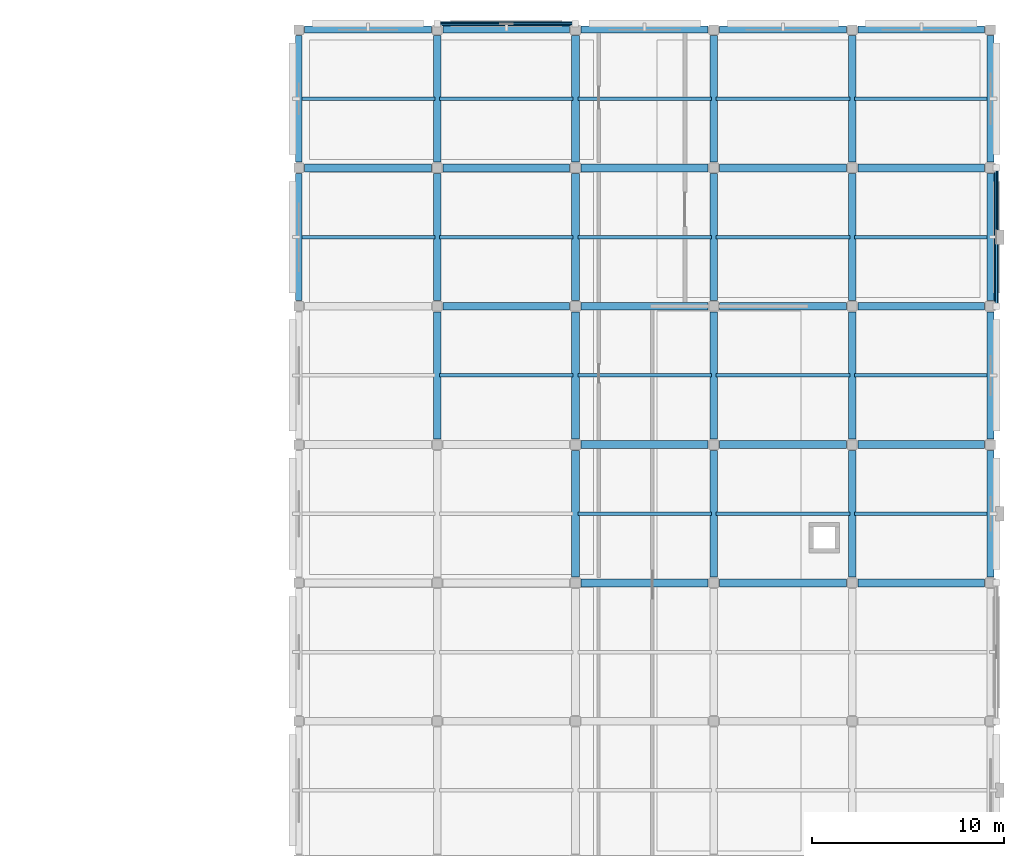
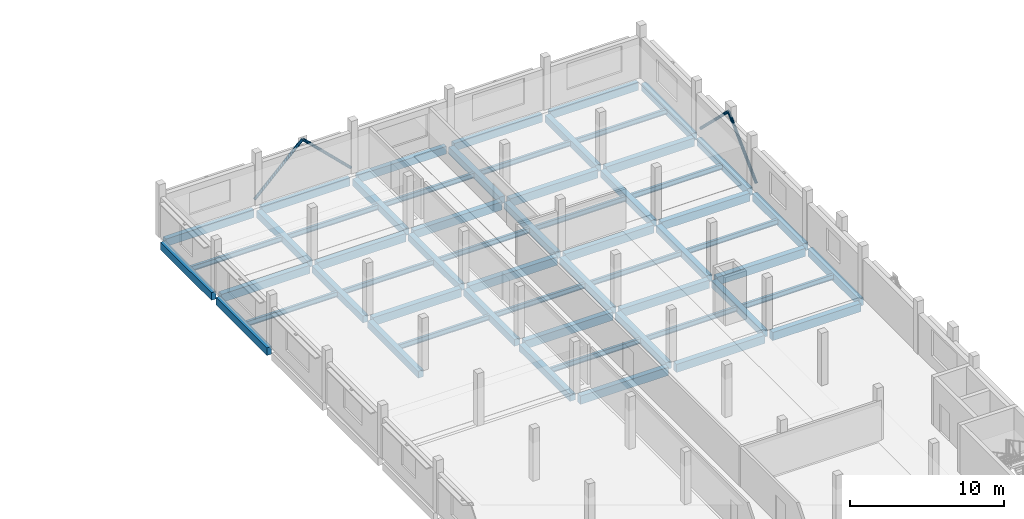
# One storey, part 13 of 33: 58 beams, 4 members.
"""IFC4 building model written with IfcOpenShell, lengths in metres."""

from ifc_helpers import new_model, si_unit, direction, frame, origin, origin_2d, place, context, subcontext, project, spatial, rectangle, hollow_circle, i_section, extrude, material, material_profile, profile_set, type_object, element, save


model = new_model("IFC4")

# Units and contexts
model_context = context("Model", 3, precision=1e-05, world=origin(), true_north=direction((0.0, 1.0)))
body_context = subcontext(model_context, "Body", "Model", "MODEL_VIEW")
ifc_project = project(units=[si_unit("LENGTHUNIT", "METRE"), si_unit("AREAUNIT", "SQUARE_METRE"), si_unit("VOLUMEUNIT", "CUBIC_METRE"), si_unit("PLANEANGLEUNIT", "RADIAN"), si_unit("MASSUNIT", "GRAM", prefix="KILO")], contexts=[model_context])

# Site, building, storey
site_placement = place(None, origin())
site = spatial("IfcSite", under=ifc_project, at=site_placement, CompositionType="ELEMENT")
building_placement = place(site_placement, origin())
building = spatial("IfcBuilding", under=site, at=building_placement, Name="Valkovuoma Quantum and Materials Research Institute", CompositionType="ELEMENT")
storey_placement = place(building_placement, frame((0.0, 0.0, 21.43994140625)))
storey = spatial("IfcBuildingStorey", under=building, at=storey_placement, Name="L05", CompositionType="ELEMENT", Elevation=21.43994140625)

# Beams
ifc_material_1 = material(Name="Steel S355J2", Category="steel")
ifc_material_profile_1 = material_profile(ifc_material_1, i_section(OverallWidth=0.179931640625, OverallDepth=0.39990234375, WebThickness=0.008544921875, FlangeThickness=0.013427734375, FilletRadius=0.02099609375, at=origin_2d()), Name="Steel S355J2")
ifc_profile_set_1 = profile_set([ifc_material_profile_1], Name="Steel S355J2")
beam_type_1 = type_object("IfcBeamType", Name="Beam-B-JST400", PredefinedType="JOIST", material=ifc_profile_set_1)
for number, where, z_axis, x_axis, name in (
    (1, (144.1201171875, 90.0, -0.550048828125), (1.0, 0.0, 0.0), (0.0, 1.0, 0.0), "L05 floor joist 2306"),
    (2, (151.320068359375, 90.0, -0.550048828125), (1.0, 0.0, 0.0), (0.0, 1.0, 0.0), "L05 floor joist 2307"),
    (3, (158.52001953125, 90.0, -0.550048828125), (1.0, 0.0, 0.0), (0.0, 1.0, 0.0), "L05 floor joist 2308"),
    (4, (136.919921875, 97.199951171875, -0.550048828125), (1.0, 0.0, 0.0), (0.0, 1.0, 0.0), "L05 floor joist 2310"),
    (5, (144.1201171875, 97.199951171875, -0.550048828125), (1.0, 0.0, 0.0), (0.0, 1.0, 0.0), "L05 floor joist 2311"),
    (6, (151.320068359375, 97.199951171875, -0.550048828125), (1.0, 0.0, 0.0), (0.0, 1.0, 0.0), "L05 floor joist 2312"),
    (7, (158.52001953125, 97.199951171875, -0.550048828125), (1.0, 0.0, 0.0), (0.0, 1.0, 0.0), "L05 floor joist 2313"),
    (8, (129.719970703125, 104.39990234375, -0.550048828125), (1.0, 0.0, 0.0), (0.0, 1.0, 0.0), "L05 floor joist 2314"),
    (9, (136.919921875, 104.39990234375, -0.550048828125), (1.0, 0.0, 0.0), (0.0, 1.0, 0.0), "L05 floor joist 2315"),
    (10, (144.1201171875, 104.39990234375, -0.550048828125), (1.0, 0.0, 0.0), (0.0, 1.0, 0.0), "L05 floor joist 2316"),
    (11, (151.320068359375, 104.39990234375, -0.550048828125), (1.0, 0.0, 0.0), (0.0, 1.0, 0.0), "L05 floor joist 2317"),
    (12, (158.52001953125, 104.39990234375, -0.550048828125), (1.0, 0.0, 0.0), (0.0, 1.0, 0.0), "L05 floor joist 2318"),
    (13, (129.719970703125, 111.60009765625, -0.550048828125), (1.0, 0.0, 0.0), (0.0, 1.0, 0.0), "L05 floor joist 2319"),
    (14, (136.919921875, 111.60009765625, -0.550048828125), (1.0, 0.0, 0.0), (0.0, 1.0, 0.0), "L05 floor joist 2320"),
    (15, (144.1201171875, 111.60009765625, -0.550048828125), (1.0, 0.0, 0.0), (0.0, 1.0, 0.0), "L05 floor joist 2321"),
    (16, (151.320068359375, 111.60009765625, -0.550048828125), (1.0, 0.0, 0.0), (0.0, 1.0, 0.0), "L05 floor joist 2322"),
    (17, (158.52001953125, 111.60009765625, -0.550048828125), (1.0, 0.0, 0.0), (0.0, 1.0, 0.0), "L05 floor joist 2323"),
):
    element("IfcBeam", number, at=place(storey_placement, frame(where, z_axis=z_axis, x_axis=x_axis)), inside=storey, type_object=beam_type_1, Name=name, PredefinedType="JOIST", context=body_context, shape_type="SweptSolid", body=[
        extrude(i_section(OverallWidth=0.179931640625, OverallDepth=0.39990234375, WebThickness=0.008544921875, FlangeThickness=0.013427734375, FilletRadius=0.02099609375, at=origin_2d()), origin(), (0.0, 0.0, 1.0), 6.9599609375),
    ])
ifc_material_2 = material(Name="Concrete C40/50", Category="concrete")
ifc_material_profile_2 = material_profile(ifc_material_2, rectangle(XDim=0.39990234375, YDim=0.550048828125, at=origin_2d()), Name="Concrete C40/50")
ifc_profile_set_2 = profile_set([ifc_material_profile_2], Name="Concrete C40/50")
beam_type_2 = type_object("IfcBeamType", Name="Beam-B-RC550", PredefinedType="BEAM", material=ifc_profile_set_2)
beam_1_placement = place(storey_placement, frame((136.800048828125, 93.89990234375, -0.625), z_axis=(0.0, 1.0, 0.0), x_axis=(-1.0, 0.0, 0.0)))
element("IfcBeam", 18, at=beam_1_placement, inside=storey, type_object=beam_type_2, Name="L05 beam Y-2215", PredefinedType="BEAM", context=body_context, shape_type="SweptSolid", body=[
    extrude(rectangle(XDim=0.39990234375, YDim=0.550048828125, at=origin_2d()), origin(), (0.0, 0.0, 1.0), 6.60009765625),
])
for number, where, z_axis, x_axis, name in (
    (19, (136.800048828125, 101.10009765625, -0.625), (0.0, 1.0, 0.0), (-1.0, 0.0, 0.0), "L05 beam Y-2216"),
    (20, (136.800048828125, 108.300048828125, -0.625), (0.0, 1.0, 0.0), (-1.0, 0.0, 0.0), "L05 beam Y-2217"),
):
    element("IfcBeam", number, at=place(storey_placement, frame(where, z_axis=z_axis, x_axis=x_axis)), inside=storey, type_object=beam_type_2, Name=name, PredefinedType="BEAM", context=body_context, shape_type="SweptSolid", body=[
        extrude(rectangle(XDim=0.39990234375, YDim=0.550048828125, at=origin_2d()), origin(), (0.0, 0.0, 1.0), 6.599853515625),
    ])
for number, where, z_axis, x_axis, name in (
    (21, (144.0, 86.699951171875, -0.625), (0.0, 1.0, 0.0), (-1.0, 0.0, 0.0), "L05 beam Y-2225"),
    (22, (144.0, 93.89990234375, -0.625), (0.0, 1.0, 0.0), (-1.0, 0.0, 0.0), "L05 beam Y-2226"),
):
    element("IfcBeam", number, at=place(storey_placement, frame(where, z_axis=z_axis, x_axis=x_axis)), inside=storey, type_object=beam_type_2, Name=name, PredefinedType="BEAM", context=body_context, shape_type="SweptSolid", body=[
        extrude(rectangle(XDim=0.39990234375, YDim=0.550048828125, at=origin_2d()), origin(), (0.0, 0.0, 1.0), 6.60009765625),
    ])
for number, where, z_axis, x_axis, name in (
    (23, (144.0, 101.10009765625, -0.625), (0.0, 1.0, 0.0), (-1.0, 0.0, 0.0), "L05 beam Y-2227"),
    (24, (144.0, 108.300048828125, -0.625), (0.0, 1.0, 0.0), (-1.0, 0.0, 0.0), "L05 beam Y-2228"),
):
    element("IfcBeam", number, at=place(storey_placement, frame(where, z_axis=z_axis, x_axis=x_axis)), inside=storey, type_object=beam_type_2, Name=name, PredefinedType="BEAM", context=body_context, shape_type="SweptSolid", body=[
        extrude(rectangle(XDim=0.39990234375, YDim=0.550048828125, at=origin_2d()), origin(), (0.0, 0.0, 1.0), 6.599853515625),
    ])
for number, where, z_axis, x_axis, name in (
    (25, (151.199951171875, 86.699951171875, -0.625), (0.0, 1.0, 0.0), (-1.0, 0.0, 0.0), "L05 beam Y-2236"),
    (26, (151.199951171875, 93.89990234375, -0.625), (0.0, 1.0, 0.0), (-1.0, 0.0, 0.0), "L05 beam Y-2237"),
):
    element("IfcBeam", number, at=place(storey_placement, frame(where, z_axis=z_axis, x_axis=x_axis)), inside=storey, type_object=beam_type_2, Name=name, PredefinedType="BEAM", context=body_context, shape_type="SweptSolid", body=[
        extrude(rectangle(XDim=0.39990234375, YDim=0.550048828125, at=origin_2d()), origin(), (0.0, 0.0, 1.0), 6.60009765625),
    ])
for number, where, z_axis, x_axis, name in (
    (27, (151.199951171875, 101.10009765625, -0.625), (0.0, 1.0, 0.0), (-1.0, 0.0, 0.0), "L05 beam Y-2238"),
    (28, (151.199951171875, 108.300048828125, -0.625), (0.0, 1.0, 0.0), (-1.0, 0.0, 0.0), "L05 beam Y-2239"),
):
    element("IfcBeam", number, at=place(storey_placement, frame(where, z_axis=z_axis, x_axis=x_axis)), inside=storey, type_object=beam_type_2, Name=name, PredefinedType="BEAM", context=body_context, shape_type="SweptSolid", body=[
        extrude(rectangle(XDim=0.39990234375, YDim=0.550048828125, at=origin_2d()), origin(), (0.0, 0.0, 1.0), 6.599853515625),
    ])
for number, where, z_axis, x_axis, name in (
    (29, (158.39990234375, 86.699951171875, -0.625), (0.0, 1.0, 0.0), (-1.0, 0.0, 0.0), "L05 beam Y-2247"),
    (30, (158.39990234375, 93.89990234375, -0.625), (0.0, 1.0, 0.0), (-1.0, 0.0, 0.0), "L05 beam Y-2248"),
):
    element("IfcBeam", number, at=place(storey_placement, frame(where, z_axis=z_axis, x_axis=x_axis)), inside=storey, type_object=beam_type_2, Name=name, PredefinedType="BEAM", context=body_context, shape_type="SweptSolid", body=[
        extrude(rectangle(XDim=0.39990234375, YDim=0.550048828125, at=origin_2d()), origin(), (0.0, 0.0, 1.0), 6.60009765625),
    ])
for number, where, z_axis, x_axis, name in (
    (31, (158.39990234375, 101.10009765625, -0.625), (0.0, 1.0, 0.0), (-1.0, 0.0, 0.0), "L05 beam Y-2249"),
    (32, (158.39990234375, 108.300048828125, -0.625), (0.0, 1.0, 0.0), (-1.0, 0.0, 0.0), "L05 beam Y-2250"),
):
    element("IfcBeam", number, at=place(storey_placement, frame(where, z_axis=z_axis, x_axis=x_axis)), inside=storey, type_object=beam_type_2, Name=name, PredefinedType="BEAM", context=body_context, shape_type="SweptSolid", body=[
        extrude(rectangle(XDim=0.39990234375, YDim=0.550048828125, at=origin_2d()), origin(), (0.0, 0.0, 1.0), 6.599853515625),
    ])
ifc_material_3 = material(Name="Concrete C40/50", Category="concrete")
ifc_material_profile_3 = material_profile(ifc_material_3, rectangle(XDim=0.39990234375, YDim=0.64990234375, at=origin_2d()), Name="Concrete C40/50")
ifc_profile_set_3 = profile_set([ifc_material_profile_3], Name="Concrete C40/50")
beam_type_3 = type_object("IfcBeamType", Name="Beam-B-RC650", PredefinedType="BEAM", material=ifc_profile_set_3)
beam_2_placement = place(storey_placement, frame((144.300048828125, 86.39990234375, -0.675048828125), z_axis=(1.0, 0.0, 0.0), x_axis=(0.0, 1.0, 0.0)))
element("IfcBeam", 33, at=beam_2_placement, inside=storey, type_object=beam_type_3, Name="L05 beam X-2158", PredefinedType="BEAM", context=body_context, shape_type="SweptSolid", body=[
    extrude(rectangle(XDim=0.39990234375, YDim=0.64990234375, at=origin_2d()), origin(), (0.0, 0.0, 1.0), 6.599853515625),
])
for number, where, z_axis, x_axis, name in (
    (34, (151.5, 86.39990234375, -0.675048828125), (1.0, 0.0, 0.0), (0.0, 1.0, 0.0), "L05 beam X-2159"),
    (35, (158.699951171875, 86.39990234375, -0.675048828125), (1.0, 0.0, 0.0), (0.0, 1.0, 0.0), "L05 beam X-2160"),
):
    element("IfcBeam", number, at=place(storey_placement, frame(where, z_axis=z_axis, x_axis=x_axis)), inside=storey, type_object=beam_type_3, Name=name, PredefinedType="BEAM", context=body_context, shape_type="SweptSolid", body=[
        extrude(rectangle(XDim=0.39990234375, YDim=0.64990234375, at=origin_2d()), origin(), (0.0, 0.0, 1.0), 6.60009765625),
    ])
beam_3_placement = place(storey_placement, frame((144.300048828125, 93.60009765625, -0.675048828125), z_axis=(1.0, 0.0, 0.0), x_axis=(0.0, 1.0, 0.0)))
element("IfcBeam", 36, at=beam_3_placement, inside=storey, type_object=beam_type_3, Name="L05 beam X-2165", PredefinedType="BEAM", context=body_context, shape_type="SweptSolid", body=[
    extrude(rectangle(XDim=0.39990234375, YDim=0.64990234375, at=origin_2d()), origin(), (0.0, 0.0, 1.0), 6.599853515625),
])
for number, where, z_axis, x_axis, name in (
    (37, (151.5, 93.60009765625, -0.675048828125), (1.0, 0.0, 0.0), (0.0, 1.0, 0.0), "L05 beam X-2166"),
    (38, (158.699951171875, 93.60009765625, -0.675048828125), (1.0, 0.0, 0.0), (0.0, 1.0, 0.0), "L05 beam X-2167"),
):
    element("IfcBeam", number, at=place(storey_placement, frame(where, z_axis=z_axis, x_axis=x_axis)), inside=storey, type_object=beam_type_3, Name=name, PredefinedType="BEAM", context=body_context, shape_type="SweptSolid", body=[
        extrude(rectangle(XDim=0.39990234375, YDim=0.64990234375, at=origin_2d()), origin(), (0.0, 0.0, 1.0), 6.60009765625),
    ])
for number, where, z_axis, x_axis, name in (
    (39, (137.10009765625, 100.800048828125, -0.675048828125), (1.0, 0.0, 0.0), (0.0, 1.0, 0.0), "L05 beam X-2169"),
    (40, (144.300048828125, 100.800048828125, -0.675048828125), (1.0, 0.0, 0.0), (0.0, 1.0, 0.0), "L05 beam X-2170"),
):
    element("IfcBeam", number, at=place(storey_placement, frame(where, z_axis=z_axis, x_axis=x_axis)), inside=storey, type_object=beam_type_3, Name=name, PredefinedType="BEAM", context=body_context, shape_type="SweptSolid", body=[
        extrude(rectangle(XDim=0.39990234375, YDim=0.64990234375, at=origin_2d()), origin(), (0.0, 0.0, 1.0), 6.599853515625),
    ])
for number, where, z_axis, x_axis, name in (
    (41, (151.5, 100.800048828125, -0.675048828125), (1.0, 0.0, 0.0), (0.0, 1.0, 0.0), "L05 beam X-2171"),
    (42, (158.699951171875, 100.800048828125, -0.675048828125), (1.0, 0.0, 0.0), (0.0, 1.0, 0.0), "L05 beam X-2172"),
    (43, (129.89990234375, 108.0, -0.675048828125), (1.0, 0.0, 0.0), (0.0, 1.0, 0.0), "L05 beam X-2173"),
):
    element("IfcBeam", number, at=place(storey_placement, frame(where, z_axis=z_axis, x_axis=x_axis)), inside=storey, type_object=beam_type_3, Name=name, PredefinedType="BEAM", context=body_context, shape_type="SweptSolid", body=[
        extrude(rectangle(XDim=0.39990234375, YDim=0.64990234375, at=origin_2d()), origin(), (0.0, 0.0, 1.0), 6.60009765625),
    ])
for number, where, z_axis, x_axis, name in (
    (44, (137.10009765625, 108.0, -0.675048828125), (1.0, 0.0, 0.0), (0.0, 1.0, 0.0), "L05 beam X-2174"),
    (45, (144.300048828125, 108.0, -0.675048828125), (1.0, 0.0, 0.0), (0.0, 1.0, 0.0), "L05 beam X-2175"),
):
    element("IfcBeam", number, at=place(storey_placement, frame(where, z_axis=z_axis, x_axis=x_axis)), inside=storey, type_object=beam_type_3, Name=name, PredefinedType="BEAM", context=body_context, shape_type="SweptSolid", body=[
        extrude(rectangle(XDim=0.39990234375, YDim=0.64990234375, at=origin_2d()), origin(), (0.0, 0.0, 1.0), 6.599853515625),
    ])
for number, where, z_axis, x_axis, name in (
    (46, (151.5, 108.0, -0.675048828125), (1.0, 0.0, 0.0), (0.0, 1.0, 0.0), "L05 beam X-2176"),
    (47, (158.699951171875, 108.0, -0.675048828125), (1.0, 0.0, 0.0), (0.0, 1.0, 0.0), "L05 beam X-2177"),
):
    element("IfcBeam", number, at=place(storey_placement, frame(where, z_axis=z_axis, x_axis=x_axis)), inside=storey, type_object=beam_type_3, Name=name, PredefinedType="BEAM", context=body_context, shape_type="SweptSolid", body=[
        extrude(rectangle(XDim=0.39990234375, YDim=0.64990234375, at=origin_2d()), origin(), (0.0, 0.0, 1.0), 6.60009765625),
    ])
ifc_material_4 = material(Name="Concrete C40/50", Category="concrete")
ifc_material_profile_4 = material_profile(ifc_material_4, rectangle(XDim=0.35009765625, YDim=0.60009765625, at=origin_2d()), Name="Concrete C40/50")
ifc_profile_set_4 = profile_set([ifc_material_profile_4], Name="Concrete C40/50")
beam_type_4 = type_object("IfcBeamType", Name="Beam-B-SPN600", PredefinedType="SPANDREL", material=ifc_profile_set_4)
beam_4_placement = place(storey_placement, frame((129.89990234375, 115.199951171875, -0.64990234375), z_axis=(1.0, 0.0, 0.0), x_axis=(0.0, 1.0, 0.0)))
element("IfcBeam", 48, at=beam_4_placement, inside=storey, type_object=beam_type_4, Name="L05 beam X-2178", PredefinedType="SPANDREL", context=body_context, shape_type="SweptSolid", body=[
    extrude(rectangle(XDim=0.35009765625, YDim=0.60009765625, at=origin_2d()), origin(), (0.0, 0.0, 1.0), 6.60009765625),
])
for number, where, z_axis, x_axis, name in (
    (49, (137.10009765625, 115.199951171875, -0.64990234375), (1.0, 0.0, 0.0), (0.0, 1.0, 0.0), "L05 beam X-2179"),
    (50, (144.300048828125, 115.199951171875, -0.64990234375), (1.0, 0.0, 0.0), (0.0, 1.0, 0.0), "L05 beam X-2180"),
):
    element("IfcBeam", number, at=place(storey_placement, frame(where, z_axis=z_axis, x_axis=x_axis)), inside=storey, type_object=beam_type_4, Name=name, PredefinedType="SPANDREL", context=body_context, shape_type="SweptSolid", body=[
        extrude(rectangle(XDim=0.35009765625, YDim=0.60009765625, at=origin_2d()), origin(), (0.0, 0.0, 1.0), 6.599853515625),
    ])
for number, where, z_axis, x_axis, name in (
    (51, (151.5, 115.199951171875, -0.64990234375), (1.0, 0.0, 0.0), (0.0, 1.0, 0.0), "L05 beam X-2181"),
    (52, (158.699951171875, 115.199951171875, -0.64990234375), (1.0, 0.0, 0.0), (0.0, 1.0, 0.0), "L05 beam X-2182"),
):
    element("IfcBeam", number, at=place(storey_placement, frame(where, z_axis=z_axis, x_axis=x_axis)), inside=storey, type_object=beam_type_4, Name=name, PredefinedType="SPANDREL", context=body_context, shape_type="SweptSolid", body=[
        extrude(rectangle(XDim=0.35009765625, YDim=0.60009765625, at=origin_2d()), origin(), (0.0, 0.0, 1.0), 6.60009765625),
    ])
for number, where, z_axis, x_axis, name in (
    (53, (129.60009765625, 101.10009765625, -0.64990234375), (0.0, 1.0, 0.0), (-1.0, 0.0, 0.0), "L05 beam Y-2205"),
    (54, (129.60009765625, 108.300048828125, -0.64990234375), (0.0, 1.0, 0.0), (-1.0, 0.0, 0.0), "L05 beam Y-2206"),
):
    element("IfcBeam", number, at=place(storey_placement, frame(where, z_axis=z_axis, x_axis=x_axis)), inside=storey, type_object=beam_type_4, Name=name, PredefinedType="SPANDREL", context=body_context, shape_type="SweptSolid", body=[
        extrude(rectangle(XDim=0.35009765625, YDim=0.60009765625, at=origin_2d()), origin(), (0.0, 0.0, 1.0), 6.599853515625),
    ])
for number, where, z_axis, x_axis, name in (
    (55, (165.60009765625, 86.699951171875, -0.64990234375), (0.0, 1.0, 0.0), (-1.0, 0.0, 0.0), "L05 beam Y-2256"),
    (56, (165.60009765625, 93.89990234375, -0.64990234375), (0.0, 1.0, 0.0), (-1.0, 0.0, 0.0), "L05 beam Y-2257"),
):
    element("IfcBeam", number, at=place(storey_placement, frame(where, z_axis=z_axis, x_axis=x_axis)), inside=storey, type_object=beam_type_4, Name=name, PredefinedType="SPANDREL", context=body_context, shape_type="SweptSolid", body=[
        extrude(rectangle(XDim=0.35009765625, YDim=0.60009765625, at=origin_2d()), origin(), (0.0, 0.0, 1.0), 6.60009765625),
    ])
for number, where, z_axis, x_axis, name in (
    (57, (165.60009765625, 101.10009765625, -0.64990234375), (0.0, 1.0, 0.0), (-1.0, 0.0, 0.0), "L05 beam Y-2258"),
    (58, (165.60009765625, 108.300048828125, -0.64990234375), (0.0, 1.0, 0.0), (-1.0, 0.0, 0.0), "L05 beam Y-2259"),
):
    element("IfcBeam", number, at=place(storey_placement, frame(where, z_axis=z_axis, x_axis=x_axis)), inside=storey, type_object=beam_type_4, Name=name, PredefinedType="SPANDREL", context=body_context, shape_type="SweptSolid", body=[
        extrude(rectangle(XDim=0.35009765625, YDim=0.60009765625, at=origin_2d()), origin(), (0.0, 0.0, 1.0), 6.599853515625),
    ])

# Members
ifc_material_5 = material(Name="Steel S355J2H", Category="steel")
ifc_material_profile_5 = material_profile(ifc_material_5, hollow_circle(Radius=0.109619140625, WallThickness=0.010009765625, at=origin_2d()), Name="Steel S355J2H")
ifc_profile_set_5 = profile_set([ifc_material_profile_5], Name="Steel S355J2H")
member_type = type_object("IfcMemberType", Name="Mem-M-BRC219", PredefinedType="BRACE", material=ifc_profile_set_5)
member_1_placement = place(storey_placement, frame((165.89990234375, 100.800048828125, 0.10009765625), z_axis=(0.0, 0.715984969996, 0.69811569438), x_axis=(-1.0, 0.0, 0.0)))
element("IfcMember", 59, at=member_1_placement, inside=storey, type_object=member_type, Name="L05 chevron wind brace 19A", PredefinedType="BRACE", context=body_context, shape_type="SweptSolid", body=[
    extrude(hollow_circle(Radius=0.109619140625, WallThickness=0.010009765625, at=origin_2d()), origin(), (0.0, 0.0, 1.0), 5.02783203125),
])
member_2_placement = place(storey_placement, frame((165.89990234375, 108.0, 0.10009765625), z_axis=(0.0, -0.716008634166, 0.698091423668), x_axis=(1.0, 0.0, 0.0)))
element("IfcMember", 60, at=member_2_placement, inside=storey, type_object=member_type, Name="L05 chevron wind brace 19B", PredefinedType="BRACE", context=body_context, shape_type="SweptSolid", body=[
    extrude(hollow_circle(Radius=0.109619140625, WallThickness=0.010009765625, at=origin_2d()), origin(), (0.0, 0.0, 1.0), 5.028076171875),
])
member_3_placement = place(storey_placement, frame((136.800048828125, 115.5, 0.10009765625), z_axis=(0.715984969996, 0.0, 0.69811569438), x_axis=(0.0, 1.0, 0.0)))
element("IfcMember", 61, at=member_3_placement, inside=storey, type_object=member_type, Name="L05 chevron wind brace 25A", PredefinedType="BRACE", context=body_context, shape_type="SweptSolid", body=[
    extrude(hollow_circle(Radius=0.109619140625, WallThickness=0.010009765625, at=origin_2d()), origin(), (0.0, 0.0, 1.0), 5.02783203125),
])
member_4_placement = place(storey_placement, frame((144.0, 115.5, 0.10009765625), z_axis=(-0.716008634166, 0.0, 0.698091423668), x_axis=(0.0, -1.0, 0.0)))
element("IfcMember", 62, at=member_4_placement, inside=storey, type_object=member_type, Name="L05 chevron wind brace 25B", PredefinedType="BRACE", context=body_context, shape_type="SweptSolid", body=[
    extrude(hollow_circle(Radius=0.109619140625, WallThickness=0.010009765625, at=origin_2d()), origin(), (0.0, 0.0, 1.0), 5.028076171875),
])

save(model, "model.ifc")
